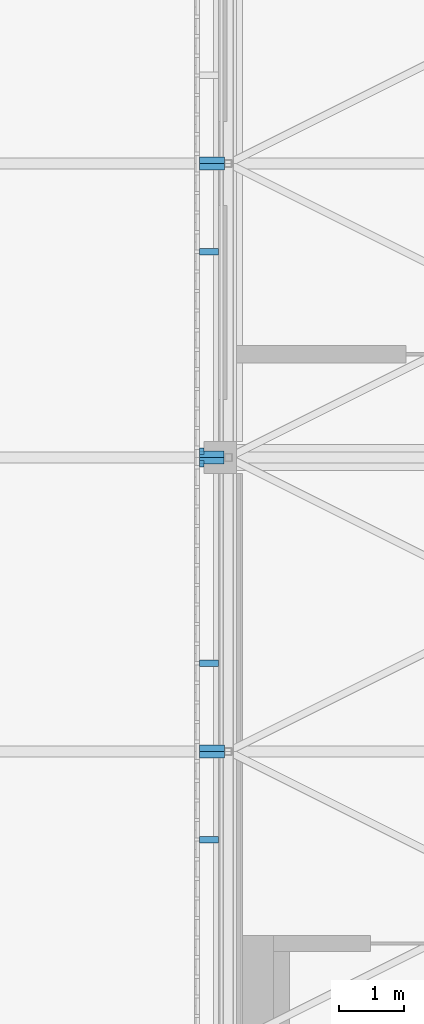
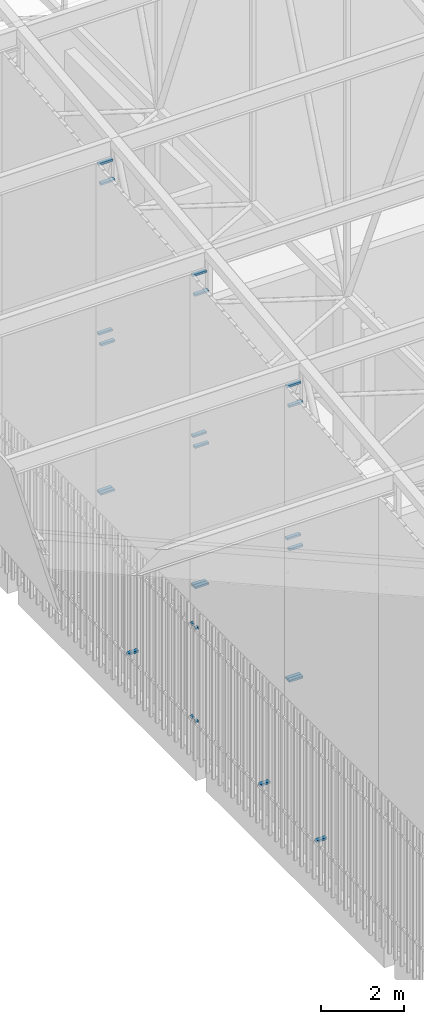
# One storey, part 440 of 500: 25 discrete accessories.
"""IFC4 building model written with IfcOpenShell, lengths in metres."""

from ifc_helpers import new_model, si_unit, direction, frame, origin, origin_2d, place, context, subcontext, project, spatial, rectangle, extrude, material, type_object, element, save


model = new_model("IFC4")

# Units and contexts
model_context = context("Model", 3, precision=1e-05, world=origin(), true_north=direction((0.0, 1.0)))
body_context = subcontext(model_context, "Body", "Model", "MODEL_VIEW")
ifc_project = project(units=[si_unit("LENGTHUNIT", "METRE"), si_unit("AREAUNIT", "SQUARE_METRE"), si_unit("VOLUMEUNIT", "CUBIC_METRE"), si_unit("PLANEANGLEUNIT", "RADIAN"), si_unit("MASSUNIT", "GRAM", prefix="KILO")], contexts=[model_context])

# Site, building, storey
site_placement = place(None, origin())
site = spatial("IfcSite", under=ifc_project, at=site_placement, CompositionType="ELEMENT")
building_placement = place(site_placement, origin())
building = spatial("IfcBuilding", under=site, at=building_placement, Name="Shirokan Park Arena", CompositionType="ELEMENT")
storey_placement = place(building_placement, frame((0.0, 0.0, 29.1201171875)))
storey = spatial("IfcBuildingStorey", under=building, at=storey_placement, Name="L06", CompositionType="ELEMENT", Elevation=29.1201171875)

# Discrete accessories
ifc_material = material(Name="Steel S355", Category="steel")
discrete_accessory_type = type_object("IfcDiscreteAccessoryType", Name="Veil bracket 100x60", PredefinedType="BRACKET", material=ifc_material)
for number, where, z_axis, x_axis, name in (
    (1, (-0.409912109375, 18.300048828125, 1.06982421875), (0.0, 0.0, 1.0), (0.0, -1.0, 0.0), "Veil bracket west bay 10 L06 2"),
    (2, (-0.409912109375, 18.300048828125, 3.81982421875), (0.0, 0.0, 1.0), (0.0, -1.0, 0.0), "Veil bracket west bay 10 L06 4"),
):
    element("IfcDiscreteAccessory", number, at=place(storey_placement, frame(where, z_axis=z_axis, x_axis=x_axis)), inside=storey, type_object=discrete_accessory_type, Name=name, PredefinedType="BRACKET", context=body_context, shape_type="SweptSolid", body=[
        extrude(rectangle(XDim=0.10009765625, YDim=0.070068359375, at=origin_2d()), origin(), (0.0, 0.0, 1.0), 0.06005859375),
    ])
discrete_accessory_placement = place(storey_placement, frame((-0.297607421875, 21.385009765625, 1.06982421875), z_axis=(0.0, 0.0, 1.0), x_axis=(0.0, -1.0, 0.0)))
element("IfcDiscreteAccessory", 3, at=discrete_accessory_placement, inside=storey, type_object=discrete_accessory_type, Name="Veil bracket west bay 10 L06 wall 2", PredefinedType="BRACKET", context=body_context, shape_type="SweptSolid", body=[
    extrude(rectangle(XDim=0.10009765625, YDim=0.294921875, at=origin_2d()), origin(), (0.0, 0.0, 1.0), 0.06005859375),
])
for number, where, z_axis, x_axis, name in (
    (4, (-0.409912109375, 18.10009765625, 1.06982421875), (0.0, 0.0, 1.0), (0.0, -1.0, 0.0), "Veil bracket west bay 11 L06 1"),
    (5, (-0.409912109375, 18.10009765625, 3.81982421875), (0.0, 0.0, 1.0), (0.0, -1.0, 0.0), "Veil bracket west bay 11 L06 3"),
):
    element("IfcDiscreteAccessory", number, at=place(storey_placement, frame(where, z_axis=z_axis, x_axis=x_axis)), inside=storey, type_object=discrete_accessory_type, Name=name, PredefinedType="BRACKET", context=body_context, shape_type="SweptSolid", body=[
        extrude(rectangle(XDim=0.10009765625, YDim=0.070068359375, at=origin_2d()), origin(), (0.0, 0.0, 1.0), 0.06005859375),
    ])
for number, where, z_axis, x_axis, name in (
    (6, (-0.297607421875, 15.014892578125, 1.06982421875), (0.0, 0.0, 1.0), (0.0, -1.0, 0.0), "Veil bracket west bay 11 L06 wall 1"),
    (7, (-0.297607421875, 12.284912109375, 1.06982421875), (0.0, 0.0, 1.0), (0.0, -1.0, 0.0), "Veil bracket west bay 11 L06 wall 2"),
):
    element("IfcDiscreteAccessory", number, at=place(storey_placement, frame(where, z_axis=z_axis, x_axis=x_axis)), inside=storey, type_object=discrete_accessory_type, Name=name, PredefinedType="BRACKET", context=body_context, shape_type="SweptSolid", body=[
        extrude(rectangle(XDim=0.10009765625, YDim=0.294921875, at=origin_2d()), origin(), (0.0, 0.0, 1.0), 0.06005859375),
    ])
for number, where, z_axis, x_axis, name in (
    (8, (-0.2509765625, 13.60009765625, 4.995849609375), (0.0, 0.0, 1.0), (1.0, 0.0, 0.0), "Veil bracket gable band west bay 5 4"),
    (9, (-0.2509765625, 13.60009765625, 8.873779296875), (0.0, 0.0, 1.0), (1.0, 0.0, 0.0), "Veil bracket gable band west bay 5 5"),
    (10, (-0.2509765625, 13.60009765625, 13.101806640625), (0.0, 0.0, 1.0), (1.0, 0.0, 0.0), "Veil bracket gable band west bay 5 6"),
    (11, (-0.2509765625, 13.699951171875, 4.995849609375), (0.0, 0.0, 1.0), (1.0, 0.0, 0.0), "Veil bracket gable band west bay 6 1"),
    (12, (-0.2509765625, 13.699951171875, 9.1337890625), (0.0, 0.0, 1.0), (1.0, 0.0, 0.0), "Veil bracket gable band west bay 6 2"),
    (13, (-0.2509765625, 13.699951171875, 13.621826171875), (0.0, 0.0, 1.0), (1.0, 0.0, 0.0), "Veil bracket gable band west bay 6 3"),
):
    element("IfcDiscreteAccessory", number, at=place(storey_placement, frame(where, z_axis=z_axis, x_axis=x_axis)), inside=storey, type_object=discrete_accessory_type, Name=name, PredefinedType="BRACKET", context=body_context, shape_type="SweptSolid", body=[
        extrude(rectangle(XDim=0.387939453125, YDim=0.10009765625, at=origin_2d()), origin(), (0.0, 0.0, 1.0), 0.06005859375),
    ])
for number, where, z_axis, x_axis, name in (
    (14, (-0.254150390625, 18.14990234375, 4.995849609375), (0.0, 0.0, 1.0), (1.0, 0.0, 0.0), "Veil bracket gable band west bay 6 4"),
    (15, (-0.254150390625, 18.14990234375, 9.1337890625), (0.0, 0.0, 1.0), (1.0, 0.0, 0.0), "Veil bracket gable band west bay 6 5"),
    (16, (-0.254150390625, 18.14990234375, 13.621826171875), (0.0, 0.0, 1.0), (1.0, 0.0, 0.0), "Veil bracket gable band west bay 6 6"),
    (17, (-0.254150390625, 18.25, 4.995849609375), (0.0, 0.0, 1.0), (1.0, 0.0, 0.0), "Veil bracket gable band west bay 7 1"),
    (18, (-0.254150390625, 18.25, 9.393798828125), (0.0, 0.0, 1.0), (1.0, 0.0, 0.0), "Veil bracket gable band west bay 7 2"),
    (19, (-0.254150390625, 18.25, 14.141845703125), (0.0, 0.0, 1.0), (1.0, 0.0, 0.0), "Veil bracket gable band west bay 7 3"),
):
    element("IfcDiscreteAccessory", number, at=place(storey_placement, frame(where, z_axis=z_axis, x_axis=x_axis)), inside=storey, type_object=discrete_accessory_type, Name=name, PredefinedType="BRACKET", context=body_context, shape_type="SweptSolid", body=[
        extrude(rectangle(XDim=0.381591796875, YDim=0.10009765625, at=origin_2d()), origin(), (0.0, 0.0, 1.0), 0.06005859375),
    ])
for number, where, z_axis, x_axis, name in (
    (20, (-0.2509765625, 22.699951171875, 4.995849609375), (0.0, 0.0, 1.0), (1.0, 0.0, 0.0), "Veil bracket gable band west bay 7 4"),
    (21, (-0.2509765625, 22.699951171875, 9.393798828125), (0.0, 0.0, 1.0), (1.0, 0.0, 0.0), "Veil bracket gable band west bay 7 5"),
    (22, (-0.2509765625, 22.699951171875, 14.141845703125), (0.0, 0.0, 1.0), (1.0, 0.0, 0.0), "Veil bracket gable band west bay 7 6"),
    (23, (-0.2509765625, 22.800048828125, 4.995849609375), (0.0, 0.0, 1.0), (1.0, 0.0, 0.0), "Veil bracket gable band west bay 8 1"),
    (24, (-0.2509765625, 22.800048828125, 9.65380859375), (0.0, 0.0, 1.0), (1.0, 0.0, 0.0), "Veil bracket gable band west bay 8 2"),
    (25, (-0.2509765625, 22.800048828125, 14.661865234375), (0.0, 0.0, 1.0), (1.0, 0.0, 0.0), "Veil bracket gable band west bay 8 3"),
):
    element("IfcDiscreteAccessory", number, at=place(storey_placement, frame(where, z_axis=z_axis, x_axis=x_axis)), inside=storey, type_object=discrete_accessory_type, Name=name, PredefinedType="BRACKET", context=body_context, shape_type="SweptSolid", body=[
        extrude(rectangle(XDim=0.387939453125, YDim=0.10009765625, at=origin_2d()), origin(), (0.0, 0.0, 1.0), 0.06005859375),
    ])

save(model, "model.ifc")
